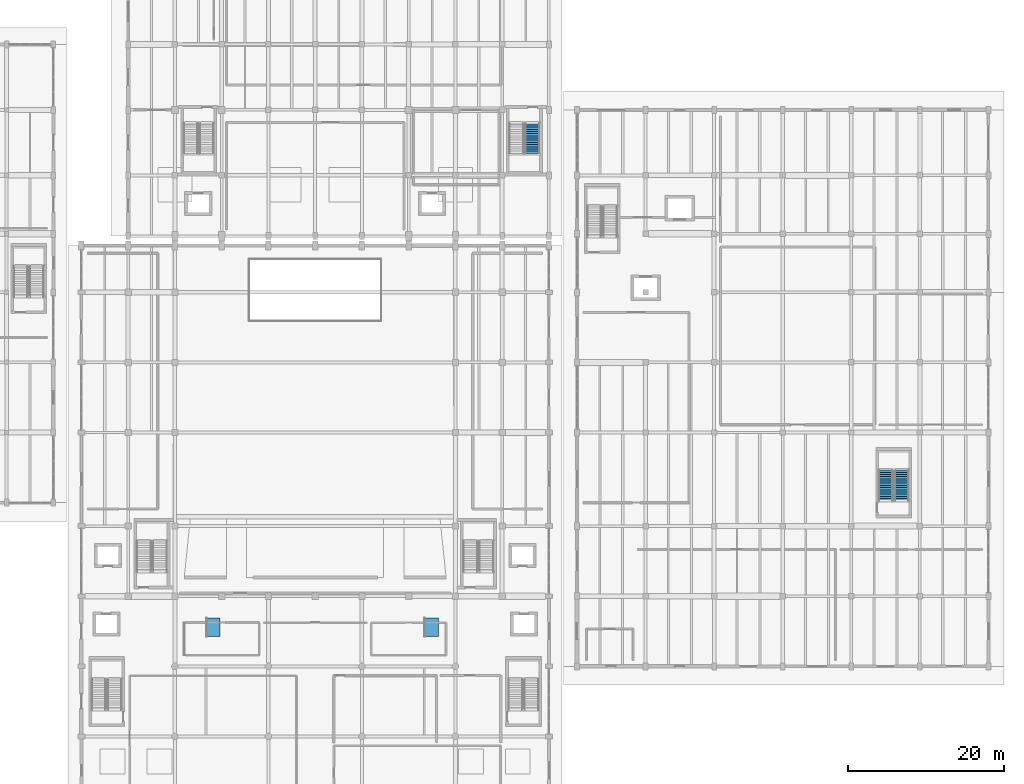
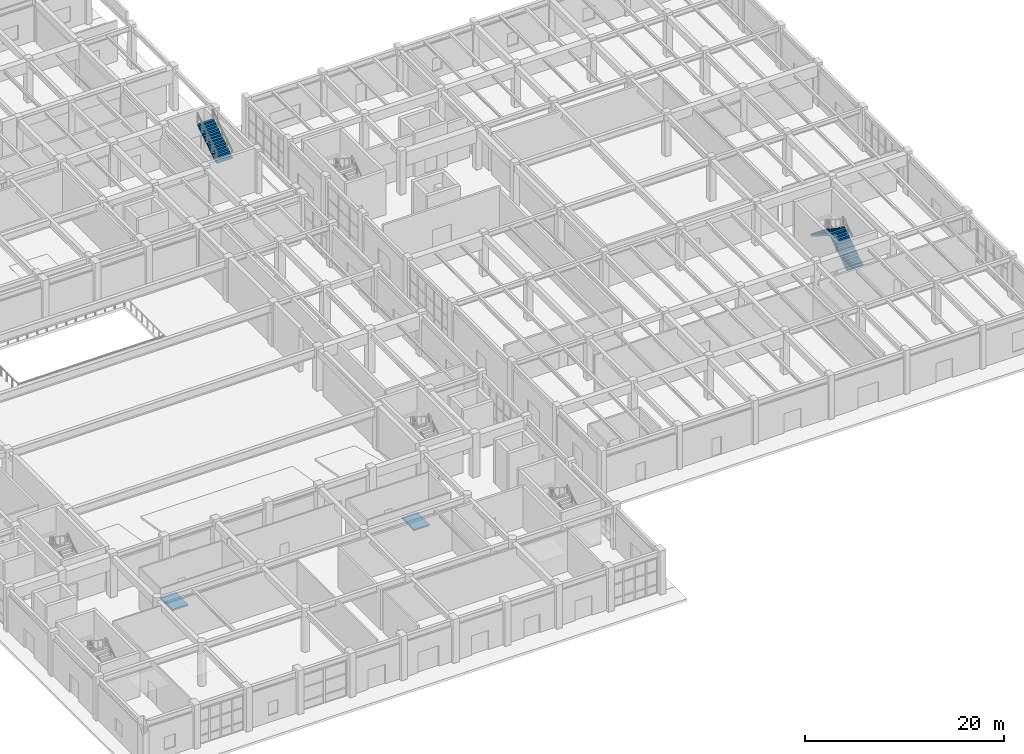
# One storey, part 80 of 91: 3 stair flights, 2 ramp flights, 4 elements without a shape of their own.
"""IFC4 building model written with IfcOpenShell, lengths in metres."""

from ifc_helpers import new_model, si_unit, direction, frame, origin, place, context, subcontext, project, spatial, polyline, outline, extrude, material, layer, layer_set, type_object, element, aggregate, save


model = new_model("IFC4")

# Units and contexts
model_context = context("Model", 3, precision=1e-05, world=origin(), true_north=direction((0.0, 1.0)))
body_context = subcontext(model_context, "Body", "Model", "MODEL_VIEW")
ifc_project = project(units=[si_unit("LENGTHUNIT", "METRE"), si_unit("AREAUNIT", "SQUARE_METRE"), si_unit("VOLUMEUNIT", "CUBIC_METRE"), si_unit("PLANEANGLEUNIT", "RADIAN"), si_unit("MASSUNIT", "GRAM", prefix="KILO")], contexts=[model_context])

# Site, building, storey
site_placement = place(None, origin())
site = spatial("IfcSite", under=ifc_project, at=site_placement, CompositionType="ELEMENT")
building_placement = place(site_placement, origin())
building = spatial("IfcBuilding", under=site, at=building_placement, Name="Vaelkrest Opera House", CompositionType="ELEMENT")
storey_placement = place(building_placement, origin())
storey = spatial("IfcBuildingStorey", under=building, at=storey_placement, Name="L00", CompositionType="ELEMENT", Elevation=0.0)

# Stair, stair flight
ifc_material = material(Name="Concrete C40/50", Category="concrete")
stair_type_1 = type_object("IfcStairType", Name="ST06", PredefinedType="TWO_STRAIGHT_RUN_STAIR", material=ifc_material)
stair_1_placement = place(storey_placement, origin())
stair_1 = element("IfcStair", 1, at=stair_1_placement, inside=storey, type_object=stair_type_1, Name="L00 Protected exit stair ST06", PredefinedType="TWO_STRAIGHT_RUN_STAIR")
stair_flight_type = type_object("IfcStairFlightType", Name="SFL176", PredefinedType="STRAIGHT", material=ifc_material)
stair_flight_1_placement = place(storey_placement, frame((27.875, 28.030029296875, 2.699951171875), z_axis=(0.0, 0.0, 1.0), x_axis=(0.0, 1.0, 0.0)))
stair_flight_1 = element("IfcStairFlight", 2, at=stair_flight_1_placement, type_object=stair_flight_type, Name="ST06 flight 2", NumberOfRisers=15, NumberOfTreads=14, PredefinedType="STRAIGHT", RiserHeight=0.18, TreadLength=0.28, context=body_context, shape_type="SweptSolid", body=[
    extrude(outline(polyline([(0.0, 0.0), (0.0, 0.179931640625), (0.280029296875, 0.179931640625), (0.280029296875, 0.360107421875), (0.56005859375, 0.360107421875), (0.56005859375, 0.5400390625), (0.840087890625, 0.5400390625), (0.840087890625, 0.719970703125), (1.1201171875, 0.719970703125), (1.1201171875, 0.89990234375), (1.39990234375, 0.89990234375), (1.39990234375, 1.080078125), (1.679931640625, 1.080078125), (1.679931640625, 1.260009765625), (1.9599609375, 1.260009765625), (1.9599609375, 1.43994140625), (2.239990234375, 1.43994140625), (2.239990234375, 1.6201171875), (2.52001953125, 1.6201171875), (2.52001953125, 1.800048828125), (2.800048828125, 1.800048828125), (2.800048828125, 1.97998046875), (3.080078125, 1.97998046875), (3.080078125, 2.159912109375), (3.360107421875, 2.159912109375), (3.360107421875, 2.340087890625), (3.639892578125, 2.340087890625), (3.639892578125, 2.52001953125), (3.919921875, 2.52001953125), (3.919921875, 2.699951171875), (3.919921875, 2.329833984375), (0.295654296875, 0.0), (0.0, 0.0)])), frame((0.0, 0.925048828125, 0.0), z_axis=(0.0, -1.0, 0.0), x_axis=(1.0, 0.0, 0.0)), (0.0, 0.0, 1.0), 1.85009765625),
])
aggregate(stair_1, [stair_flight_1])

# Stair, stair flights
stair_type_2 = type_object("IfcStairType", Name="ST10", PredefinedType="TWO_STRAIGHT_RUN_STAIR", material=ifc_material)
stair_2_placement = place(storey_placement, origin())
stair_2 = element("IfcStair", 3, at=stair_2_placement, inside=storey, type_object=stair_type_2, Name="L00 Protected exit stair ST10", PredefinedType="TWO_STRAIGHT_RUN_STAIR")
stair_flight_2_placement = place(storey_placement, frame((75.27490234375, -16.550048828125, 0.0), z_axis=(0.0, 0.0, 1.0), x_axis=(0.0, 1.0, 0.0)))
stair_flight_2 = element("IfcStairFlight", 4, at=stair_flight_2_placement, type_object=stair_flight_type, Name="ST10 flight 1", NumberOfRisers=15, NumberOfTreads=14, PredefinedType="STRAIGHT", RiserHeight=0.18, TreadLength=0.28, context=body_context, shape_type="SweptSolid", body=[
    extrude(outline(polyline([(0.0, 0.0), (0.0, 0.179931640625), (0.280029296875, 0.179931640625), (0.280029296875, 0.360107421875), (0.56005859375, 0.360107421875), (0.56005859375, 0.5400390625), (0.840087890625, 0.5400390625), (0.840087890625, 0.719970703125), (1.1201171875, 0.719970703125), (1.1201171875, 0.89990234375), (1.39990234375, 0.89990234375), (1.39990234375, 1.080078125), (1.679931640625, 1.080078125), (1.679931640625, 1.260009765625), (1.9599609375, 1.260009765625), (1.9599609375, 1.43994140625), (2.239990234375, 1.43994140625), (2.239990234375, 1.6201171875), (2.52001953125, 1.6201171875), (2.52001953125, 1.800048828125), (2.800048828125, 1.800048828125), (2.800048828125, 1.97998046875), (3.080078125, 1.97998046875), (3.080078125, 2.159912109375), (3.360107421875, 2.159912109375), (3.360107421875, 2.340087890625), (3.639892578125, 2.340087890625), (3.639892578125, 2.52001953125), (3.919921875, 2.52001953125), (3.919921875, 2.699951171875), (3.919921875, 2.329833984375), (0.295654296875, 0.0), (0.0, 0.0)])), frame((0.0, 0.925048828125, 0.0), z_axis=(0.0, -1.0, 0.0), x_axis=(1.0, 0.0, 0.0)), (0.0, 0.0, 1.0), 1.85009765625),
])
stair_flight_3_placement = place(storey_placement, frame((73.22509765625, -12.6298828125, 2.699951171875), z_axis=(0.0, 0.0, 1.0), x_axis=(0.0, -1.0, 0.0)))
stair_flight_3 = element("IfcStairFlight", 5, at=stair_flight_3_placement, type_object=stair_flight_type, Name="ST10 flight 2", NumberOfRisers=15, NumberOfTreads=14, PredefinedType="STRAIGHT", RiserHeight=0.18, TreadLength=0.28, context=body_context, shape_type="SweptSolid", body=[
    extrude(outline(polyline([(0.0, 0.0), (0.0, 0.179931640625), (0.280029296875, 0.179931640625), (0.280029296875, 0.360107421875), (0.56005859375, 0.360107421875), (0.56005859375, 0.5400390625), (0.840087890625, 0.5400390625), (0.840087890625, 0.719970703125), (1.1201171875, 0.719970703125), (1.1201171875, 0.89990234375), (1.39990234375, 0.89990234375), (1.39990234375, 1.080078125), (1.679931640625, 1.080078125), (1.679931640625, 1.260009765625), (1.9599609375, 1.260009765625), (1.9599609375, 1.43994140625), (2.239990234375, 1.43994140625), (2.239990234375, 1.6201171875), (2.52001953125, 1.6201171875), (2.52001953125, 1.800048828125), (2.800048828125, 1.800048828125), (2.800048828125, 1.97998046875), (3.080078125, 1.97998046875), (3.080078125, 2.159912109375), (3.360107421875, 2.159912109375), (3.360107421875, 2.340087890625), (3.639892578125, 2.340087890625), (3.639892578125, 2.52001953125), (3.919921875, 2.52001953125), (3.919921875, 2.699951171875), (3.919921875, 2.329833984375), (0.295654296875, 0.0), (0.0, 0.0)])), frame((0.0, 0.925048828125, 0.0), z_axis=(0.0, -1.0, 0.0), x_axis=(1.0, 0.0, 0.0)), (0.0, 0.0, 1.0), 1.85009765625),
])
aggregate(stair_2, [stair_flight_2, stair_flight_3])

# Ramp, ramp flight
ramp_type = type_object("IfcRampType", Name="RMP01", PredefinedType="STRAIGHT_RUN_RAMP", material=ifc_material)
ramp_1_placement = place(storey_placement, origin())
ramp_1 = element("IfcRamp", 6, at=ramp_1_placement, inside=storey, type_object=ramp_type, Name="Accessible foyer threshold ramp 5", PredefinedType="STRAIGHT_RUN_RAMP")
ifc_layer = layer(ifc_material, 0.239990234375)
ifc_layer_set = layer_set([ifc_layer], Name="Concrete C40/50")
ramp_flight_type = type_object("IfcRampFlightType", Name="RFL01", PredefinedType="STRAIGHT", material=ifc_layer_set)
ramp_flight_1_placement = place(storey_placement, frame((-14.0, -34.0, 0.0), z_axis=(0.0, -0.025017599662, 0.999687010872), x_axis=(1.0, 0.0, 0.0)))
ramp_flight_1 = element("IfcRampFlight", 7, at=ramp_flight_1_placement, type_object=ramp_flight_type, Name="Foyer threshold ramp flight 5", PredefinedType="STRAIGHT", context=body_context, shape_type="SweptSolid", body=[
    extrude(outline(polyline([(0.0, 0.0), (1.800048828125, 0.0), (1.800048828125, 2.400653722263994), (0.0, 2.400653722263994), (0.0, 0.0)])), origin(), (0.0, 0.0, -1.0), 0.199951171875),
])
aggregate(ramp_1, [ramp_flight_1])

ramp_2_placement = place(storey_placement, origin())
ramp_2 = element("IfcRamp", 8, at=ramp_2_placement, inside=storey, type_object=ramp_type, Name="Accessible foyer threshold ramp 6", PredefinedType="STRAIGHT_RUN_RAMP")
ramp_flight_2_placement = place(storey_placement, frame((14.0, -34.0, 0.0), z_axis=(0.0, -0.025017599662, 0.999687010872), x_axis=(1.0, 0.0, 0.0)))
ramp_flight_2 = element("IfcRampFlight", 9, at=ramp_flight_2_placement, type_object=ramp_flight_type, Name="Foyer threshold ramp flight 6", PredefinedType="STRAIGHT", context=body_context, shape_type="SweptSolid", body=[
    extrude(outline(polyline([(0.0, 0.0), (1.800048828125, 0.0), (1.800048828125, 2.400653722263994), (0.0, 2.400653722263994), (0.0, 0.0)])), origin(), (0.0, 0.0, -1.0), 0.199951171875),
])
aggregate(ramp_2, [ramp_flight_2])

save(model, "model.ifc")
